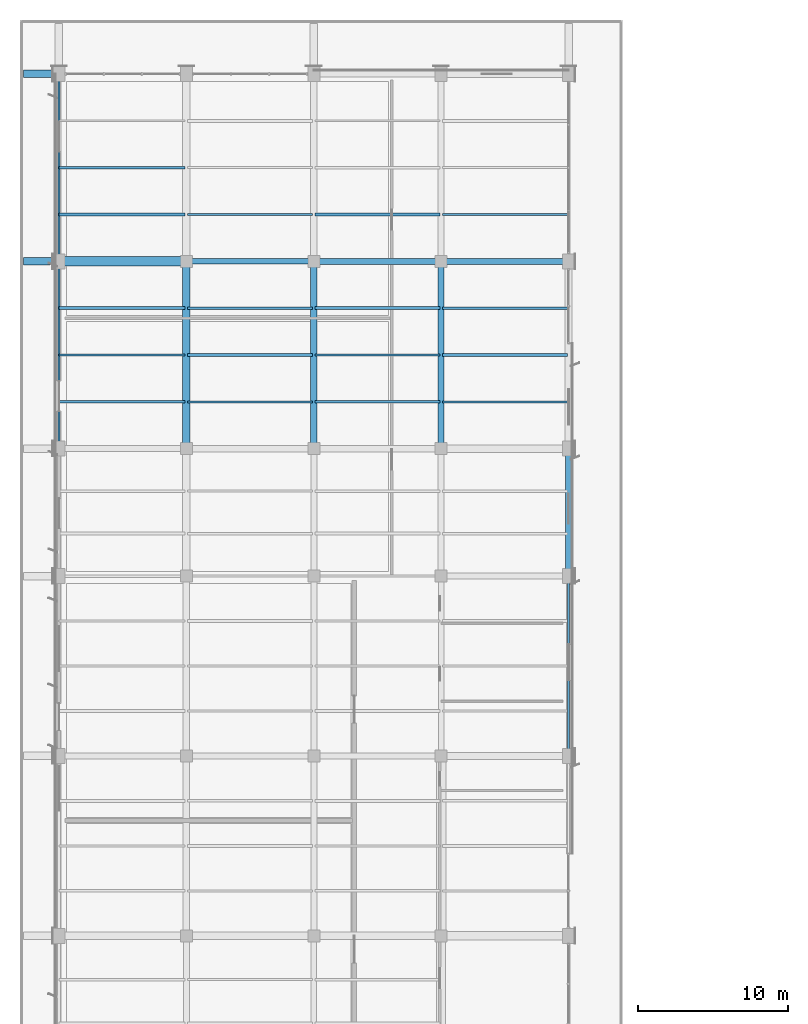
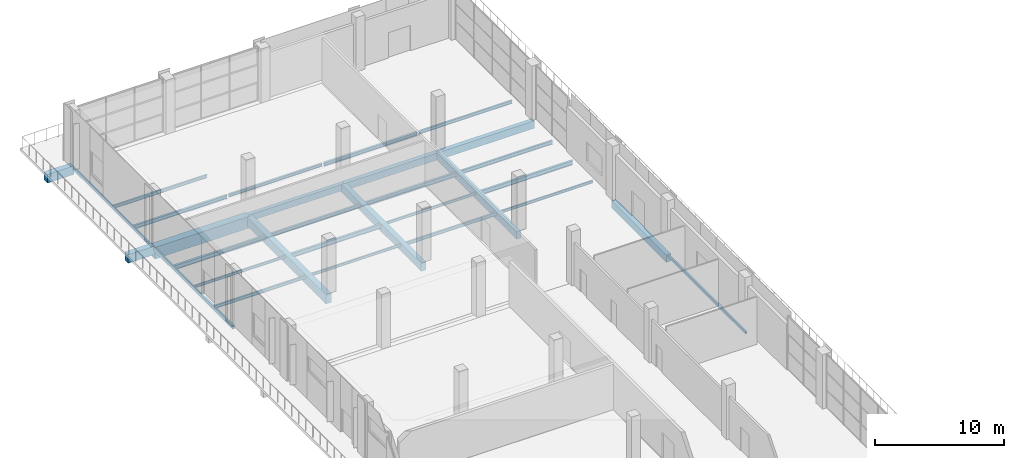
# One storey, part 22 of 90: 30 beams.
"""IFC4 building model written with IfcOpenShell, lengths in metres."""

from ifc_helpers import new_model, si_unit, direction, frame, origin, origin_2d, place, context, subcontext, project, spatial, rectangle, hollow_rectangle, i_section, extrude, material, material_profile, profile_set, type_object, element, save


model = new_model("IFC4")

# Units and contexts
model_context = context("Model", 3, precision=1e-05, world=origin(), true_north=direction((0.0, 1.0)))
body_context = subcontext(model_context, "Body", "Model", "MODEL_VIEW")
ifc_project = project(units=[si_unit("LENGTHUNIT", "METRE"), si_unit("AREAUNIT", "SQUARE_METRE"), si_unit("VOLUMEUNIT", "CUBIC_METRE"), si_unit("PLANEANGLEUNIT", "RADIAN"), si_unit("MASSUNIT", "GRAM", prefix="KILO")], contexts=[model_context])

# Site, building, storey
site_placement = place(None, origin())
site = spatial("IfcSite", under=ifc_project, at=site_placement, CompositionType="ELEMENT")
building_placement = place(site_placement, origin())
building = spatial("IfcBuilding", under=site, at=building_placement, Name="Solvikara Media Centre", CompositionType="ELEMENT")
storey_placement = place(building_placement, origin())
storey = spatial("IfcBuildingStorey", under=building, at=storey_placement, Name="L00", CompositionType="ELEMENT", Elevation=0.0)

# Beams
ifc_material_1 = material(Name="Concrete fc' 35 MPa (C35/45)", Category="concrete")
ifc_material_profile_1 = material_profile(ifc_material_1, rectangle(XDim=0.35009765625, YDim=0.60009765625, at=origin_2d()), Name="RC 350x600")
ifc_profile_set_1 = profile_set([ifc_material_profile_1], Name="Concrete fc' 35 MPa (C35/45)")
beam_type_1 = type_object("IfcBeamType", Name="BM-01", PredefinedType="BEAM", material=ifc_profile_set_1)
beam_1_placement = place(storey_placement, frame((8.5, 101.5, -0.639892578125), z_axis=(1.0, 0.0, 0.0), x_axis=(0.0, 1.0, 0.0)))
element("IfcBeam", 1, at=beam_1_placement, inside=storey, type_object=beam_type_1, Name="B-L00-X0097", PredefinedType="BEAM", context=body_context, shape_type="SweptSolid", body=[
    extrude(rectangle(XDim=0.35009765625, YDim=0.60009765625, at=origin_2d()), origin(), (0.0, 0.0, 1.0), 8.5),
])
ifc_material_profile_2 = material_profile(ifc_material_1, rectangle(XDim=0.39990234375, YDim=0.64990234375, at=origin_2d()), Name="RC 400x650")
ifc_profile_set_2 = profile_set([ifc_material_profile_2], Name="Concrete fc' 35 MPa (C35/45)")
beam_type_2 = type_object("IfcBeamType", Name="BM-02", PredefinedType="BEAM", material=ifc_profile_set_2)
beam_2_placement = place(storey_placement, frame((17.0, 101.5, -0.6650390625), z_axis=(1.0, 0.0, 0.0), x_axis=(0.0, 1.0, 0.0)))
element("IfcBeam", 2, at=beam_2_placement, inside=storey, type_object=beam_type_2, Name="B-L00-X0098", PredefinedType="BEAM", context=body_context, shape_type="SweptSolid", body=[
    extrude(rectangle(XDim=0.39990234375, YDim=0.64990234375, at=origin_2d()), origin(), (0.0, 0.0, 1.0), 8.5),
])
ifc_material_profile_3 = material_profile(ifc_material_1, rectangle(XDim=0.39990234375, YDim=0.699951171875, at=origin_2d()), Name="RC 400x700")
ifc_profile_set_3 = profile_set([ifc_material_profile_3], Name="Concrete fc' 35 MPa (C35/45)")
beam_type_3 = type_object("IfcBeamType", Name="BM-03", PredefinedType="BEAM", material=ifc_profile_set_3)
beam_3_placement = place(storey_placement, frame((25.5, 101.5, -0.68994140625), z_axis=(1.0, 0.0, 0.0), x_axis=(0.0, 1.0, 0.0)))
element("IfcBeam", 3, at=beam_3_placement, inside=storey, type_object=beam_type_3, Name="B-L00-X0099", PredefinedType="BEAM", context=body_context, shape_type="SweptSolid", body=[
    extrude(rectangle(XDim=0.39990234375, YDim=0.699951171875, at=origin_2d()), origin(), (0.0, 0.0, 1.0), 8.5),
])
beam_4_placement = place(storey_placement, frame((25.5, 89.0, -0.68994140625), z_axis=(0.0, 1.0, 0.0), x_axis=(-1.0, 0.0, 0.0)))
element("IfcBeam", 4, at=beam_4_placement, inside=storey, type_object=beam_type_3, Name="B-L00-Y0147", PredefinedType="BEAM", context=body_context, shape_type="SweptSolid", body=[
    extrude(rectangle(XDim=0.39990234375, YDim=0.699951171875, at=origin_2d()), origin(), (0.0, 0.0, 1.0), 12.5),
])
ifc_material_profile_4 = material_profile(ifc_material_1, rectangle(XDim=0.449951171875, YDim=0.75, at=origin_2d()), Name="RC 450x750")
ifc_profile_set_4 = profile_set([ifc_material_profile_4], Name="Concrete fc' 35 MPa (C35/45)")
beam_type_4 = type_object("IfcBeamType", Name="BM-05", PredefinedType="BEAM", material=ifc_profile_set_4)
beam_5_placement = place(storey_placement, frame((17.0, 89.0, -0.715087890625), z_axis=(0.0, 1.0, 0.0), x_axis=(-1.0, 0.0, 0.0)))
element("IfcBeam", 5, at=beam_5_placement, inside=storey, type_object=beam_type_4, Name="B-L00-Y0137", PredefinedType="BEAM", context=body_context, shape_type="SweptSolid", body=[
    extrude(rectangle(XDim=0.449951171875, YDim=0.75, at=origin_2d()), origin(), (0.0, 0.0, 1.0), 12.5),
])
ifc_material_profile_5 = material_profile(ifc_material_1, rectangle(XDim=0.5, YDim=0.800048828125, at=origin_2d()), Name="RC 500x800")
ifc_profile_set_5 = profile_set([ifc_material_profile_5], Name="Concrete fc' 35 MPa (C35/45)")
beam_type_5 = type_object("IfcBeamType", Name="BM-07", PredefinedType="BEAM", material=ifc_profile_set_5)
for number, where, z_axis, x_axis, name in (
    (6, (-2.3798828125, 101.5, -0.64990234375), (1.0, 0.0, 0.0), (0.0, 1.0, 0.0), "B-L00-PRM-010"),
    (7, (-2.3798828125, 114.0, -0.64990234375), (1.0, 0.0, 0.0), (0.0, 1.0, 0.0), "B-L00-PRM-011"),
):
    element("IfcBeam", number, at=place(storey_placement, frame(where, z_axis=z_axis, x_axis=x_axis)), inside=storey, type_object=beam_type_5, Name=name, PredefinedType="BEAM", context=body_context, shape_type="SweptSolid", body=[
        extrude(rectangle(XDim=0.5, YDim=0.800048828125, at=origin_2d()), origin(), (0.0, 0.0, 1.0), 2.3798828125),
    ])
ifc_material_profile_6 = material_profile(ifc_material_1, rectangle(XDim=0.5, YDim=0.85009765625, at=origin_2d()), Name="RC 500x850")
ifc_profile_set_6 = profile_set([ifc_material_profile_6], Name="Concrete fc' 35 MPa (C35/45)")
beam_type_6 = type_object("IfcBeamType", Name="BM-08", PredefinedType="BEAM", material=ifc_profile_set_6)
beam_6_placement = place(storey_placement, frame((8.5, 89.0, -0.764892578125), z_axis=(0.0, 1.0, 0.0), x_axis=(-1.0, 0.0, 0.0)))
element("IfcBeam", 8, at=beam_6_placement, inside=storey, type_object=beam_type_6, Name="B-L00-Y0128", PredefinedType="BEAM", context=body_context, shape_type="SweptSolid", body=[
    extrude(rectangle(XDim=0.5, YDim=0.85009765625, at=origin_2d()), origin(), (0.0, 0.0, 1.0), 12.5),
])
ifc_material_2 = material(Name="Concrete fc' 45 MPa (C45/55)", Category="concrete")
ifc_material_profile_7 = material_profile(ifc_material_2, rectangle(XDim=0.64990234375, YDim=1.10009765625, at=origin_2d()), Name="RC 650x1100")
ifc_profile_set_7 = profile_set([ifc_material_profile_7], Name="Concrete fc' 45 MPa (C45/55)")
beam_type_7 = type_object("IfcBeamType", Name="BM-12", PredefinedType="BEAM", material=ifc_profile_set_7)
beam_7_placement = place(storey_placement, frame((0.0, 101.5, -0.889892578125), z_axis=(1.0, 0.0, 0.0), x_axis=(0.0, 1.0, 0.0)))
element("IfcBeam", 9, at=beam_7_placement, inside=storey, type_object=beam_type_7, Name="B-L00-X0096", PredefinedType="BEAM", context=body_context, shape_type="SweptSolid", body=[
    extrude(rectangle(XDim=0.64990234375, YDim=1.10009765625, at=origin_2d()), origin(), (0.0, 0.0, 1.0), 8.5),
])
ifc_material_profile_8 = material_profile(ifc_material_1, rectangle(XDim=0.39990234375, YDim=0.699951171875, at=origin_2d()), Name="RC 400x700")
ifc_profile_set_8 = profile_set([ifc_material_profile_8], Name="Concrete fc' 35 MPa (C35/45)")
beam_type_8 = type_object("IfcBeamType", Name="BM-13", PredefinedType="SPANDREL", material=ifc_profile_set_8)
beam_8_placement = place(storey_placement, frame((34.0, 80.5, -0.68994140625), z_axis=(0.0, 1.0, 0.0), x_axis=(-1.0, 0.0, 0.0)))
element("IfcBeam", 10, at=beam_8_placement, inside=storey, type_object=beam_type_8, Name="B-L00-Y0157", PredefinedType="SPANDREL", context=body_context, shape_type="SweptSolid", body=[
    extrude(rectangle(XDim=0.39990234375, YDim=0.699951171875, at=origin_2d()), origin(), (0.0, 0.0, 1.0), 8.5),
])
ifc_material_3 = material(Name="Steel S355JR", Category="steel")
ifc_material_profile_9 = material_profile(ifc_material_3, i_section(OverallWidth=0.199951171875, OverallDepth=0.39990234375, WebThickness=0.008056640625, FlangeThickness=0.012939453125, at=origin_2d()), Name="WF 400x200x8x13")
ifc_profile_set_9 = profile_set([ifc_material_profile_9], Name="Steel S355JR")
beam_type_9 = type_object("IfcBeamType", Name="BM-21", PredefinedType="JOIST", material=ifc_profile_set_9)
beam_9_placement = place(storey_placement, frame((0.0, 98.375, -0.5419921875), z_axis=(1.0, 0.0, 0.0), x_axis=(0.0, 1.0, 0.0)))
element("IfcBeam", 11, at=beam_9_placement, inside=storey, type_object=beam_type_9, Name="J-L00-0257", PredefinedType="JOIST", context=body_context, shape_type="SweptSolid", body=[
    extrude(i_section(OverallWidth=0.199951171875, OverallDepth=0.39990234375, WebThickness=0.008056640625, FlangeThickness=0.012939453125, at=origin_2d()), origin(), (0.0, 0.0, 1.0), 8.422119140625),
])
for number, where, z_axis, x_axis, name in (
    (12, (8.577880859375, 95.25, -0.5419921875), (1.0, 0.0, 0.0), (0.0, 1.0, 0.0), "J-L00-0281"),
    (13, (17.077880859375, 98.375, -0.5419921875), (1.0, 0.0, 0.0), (0.0, 1.0, 0.0), "J-L00-0305"),
):
    element("IfcBeam", number, at=place(storey_placement, frame(where, z_axis=z_axis, x_axis=x_axis)), inside=storey, type_object=beam_type_9, Name=name, PredefinedType="JOIST", context=body_context, shape_type="SweptSolid", body=[
        extrude(i_section(OverallWidth=0.199951171875, OverallDepth=0.39990234375, WebThickness=0.008056640625, FlangeThickness=0.012939453125, at=origin_2d()), origin(), (0.0, 0.0, 1.0), 8.34423828125),
    ])
ifc_material_profile_10 = material_profile(ifc_material_3, i_section(OverallWidth=0.175048828125, OverallDepth=0.35009765625, WebThickness=0.007080078125, FlangeThickness=0.010986328125, at=origin_2d()), Name="WF 350x175x7x11")
ifc_profile_set_10 = profile_set([ifc_material_profile_10], Name="Steel S355JR")
beam_type_10 = type_object("IfcBeamType", Name="BM-22", PredefinedType="JOIST", material=ifc_profile_set_10)
beam_10_placement = place(storey_placement, frame((0.0, 104.625, -0.51708984375), z_axis=(1.0, 0.0, 0.0), x_axis=(0.0, 1.0, 0.0)))
element("IfcBeam", 14, at=beam_10_placement, inside=storey, type_object=beam_type_10, Name="J-L00-0258", PredefinedType="JOIST", context=body_context, shape_type="SweptSolid", body=[
    extrude(i_section(OverallWidth=0.175048828125, OverallDepth=0.35009765625, WebThickness=0.007080078125, FlangeThickness=0.010986328125, at=origin_2d()), origin(), (0.0, 0.0, 1.0), 8.422119140625),
])
for number, where, z_axis, x_axis, name in (
    (15, (8.577880859375, 98.375, -0.51708984375), (1.0, 0.0, 0.0), (0.0, 1.0, 0.0), "J-L00-0282"),
    (16, (17.077880859375, 104.625, -0.51708984375), (1.0, 0.0, 0.0), (0.0, 1.0, 0.0), "J-L00-0306"),
):
    element("IfcBeam", number, at=place(storey_placement, frame(where, z_axis=z_axis, x_axis=x_axis)), inside=storey, type_object=beam_type_10, Name=name, PredefinedType="JOIST", context=body_context, shape_type="SweptSolid", body=[
        extrude(i_section(OverallWidth=0.175048828125, OverallDepth=0.35009765625, WebThickness=0.007080078125, FlangeThickness=0.010986328125, at=origin_2d()), origin(), (0.0, 0.0, 1.0), 8.34423828125),
    ])
ifc_material_profile_11 = material_profile(ifc_material_3, i_section(OverallWidth=0.14990234375, OverallDepth=0.300048828125, WebThickness=0.006591796875, FlangeThickness=0.009033203125, at=origin_2d()), Name="WF 300x150x6.5x9")
ifc_profile_set_11 = profile_set([ifc_material_profile_11], Name="Steel S355JR")
beam_type_11 = type_object("IfcBeamType", Name="BM-23", PredefinedType="JOIST", material=ifc_profile_set_11)
beam_11_placement = place(storey_placement, frame((0.0, 107.75, -0.491943359375), z_axis=(1.0, 0.0, 0.0), x_axis=(0.0, 1.0, 0.0)))
element("IfcBeam", 17, at=beam_11_placement, inside=storey, type_object=beam_type_11, Name="J-L00-0259", PredefinedType="JOIST", context=body_context, shape_type="SweptSolid", body=[
    extrude(i_section(OverallWidth=0.14990234375, OverallDepth=0.300048828125, WebThickness=0.006591796875, FlangeThickness=0.009033203125, at=origin_2d()), origin(), (0.0, 0.0, 1.0), 8.422119140625),
])
beam_12_placement = place(storey_placement, frame((8.577880859375, 104.625, -0.491943359375), z_axis=(1.0, 0.0, 0.0), x_axis=(0.0, 1.0, 0.0)))
element("IfcBeam", 18, at=beam_12_placement, inside=storey, type_object=beam_type_11, Name="J-L00-0283", PredefinedType="JOIST", context=body_context, shape_type="SweptSolid", body=[
    extrude(i_section(OverallWidth=0.14990234375, OverallDepth=0.300048828125, WebThickness=0.006591796875, FlangeThickness=0.009033203125, at=origin_2d()), origin(), (0.0, 0.0, 1.0), 8.34423828125),
])
ifc_material_profile_12 = material_profile(ifc_material_3, i_section(OverallWidth=0.125, OverallDepth=0.25, WebThickness=0.006103515625, FlangeThickness=0.009033203125, at=origin_2d()), Name="WF 250x125x6x9")
ifc_profile_set_12 = profile_set([ifc_material_profile_12], Name="Steel S355JR")
beam_type_12 = type_object("IfcBeamType", Name="BM-24", PredefinedType="JOIST", material=ifc_profile_set_12)
beam_13_placement = place(storey_placement, frame((25.577880859375, 92.125, -0.467041015625), z_axis=(1.0, 0.0, 0.0), x_axis=(0.0, 1.0, 0.0)))
element("IfcBeam", 19, at=beam_13_placement, inside=storey, type_object=beam_type_12, Name="J-L00-0324", PredefinedType="JOIST", context=body_context, shape_type="SweptSolid", body=[
    extrude(i_section(OverallWidth=0.125, OverallDepth=0.25, WebThickness=0.006103515625, FlangeThickness=0.009033203125, at=origin_2d()), origin(), (0.0, 0.0, 1.0), 8.34423828125),
])
ifc_material_profile_13 = material_profile(ifc_material_3, hollow_rectangle(XDim=0.14990234375, YDim=0.25, WallThickness=0.008056640625, at=origin_2d()), Name="RHS 250x150x8")
ifc_profile_set_13 = profile_set([ifc_material_profile_13], Name="Steel S355JR")
beam_type_13 = type_object("IfcBeamType", Name="BM-36", PredefinedType="JOIST", material=ifc_profile_set_13)
beam_14_placement = place(storey_placement, frame((34.0, 68.5, -0.467041015625), z_axis=(0.0, 1.0, 0.0), x_axis=(-1.0, 0.0, 0.0)))
element("IfcBeam", 20, at=beam_14_placement, inside=storey, type_object=beam_type_13, Name="B-L00-Y0156", PredefinedType="JOIST", context=body_context, shape_type="SweptSolid", body=[
    extrude(hollow_rectangle(XDim=0.14990234375, YDim=0.25, WallThickness=0.008056640625, at=origin_2d()), origin(), (0.0, 0.0, 1.0), 12.0),
])
ifc_material_profile_14 = material_profile(ifc_material_3, i_section(OverallWidth=0.198974609375, OverallDepth=0.39599609375, WebThickness=0.007080078125, FlangeThickness=0.010986328125, at=origin_2d()), Name="WF 396x199x7x11")
ifc_profile_set_14 = profile_set([ifc_material_profile_14], Name="Steel S355JR")
beam_type_14 = type_object("IfcBeamType", Name="BM-37", PredefinedType="JOIST", material=ifc_profile_set_14)
beam_15_placement = place(storey_placement, frame((25.577880859375, 95.25, -0.5400390625), z_axis=(1.0, 0.0, 0.0), x_axis=(0.0, 1.0, 0.0)))
element("IfcBeam", 21, at=beam_15_placement, inside=storey, type_object=beam_type_14, Name="J-L00-0325", PredefinedType="JOIST", context=body_context, shape_type="SweptSolid", body=[
    extrude(i_section(OverallWidth=0.198974609375, OverallDepth=0.39599609375, WebThickness=0.007080078125, FlangeThickness=0.010986328125, at=origin_2d()), origin(), (0.0, 0.0, 1.0), 8.34423828125),
])
ifc_material_profile_15 = material_profile(ifc_material_3, i_section(OverallWidth=0.174072265625, OverallDepth=0.345947265625, WebThickness=0.006103515625, FlangeThickness=0.009033203125, at=origin_2d()), Name="WF 346x174x6x9")
ifc_profile_set_15 = profile_set([ifc_material_profile_15], Name="Steel S355JR")
beam_type_15 = type_object("IfcBeamType", Name="BM-38", PredefinedType="JOIST", material=ifc_profile_set_15)
beam_16_placement = place(storey_placement, frame((25.577880859375, 98.375, -0.514892578125), z_axis=(1.0, 0.0, 0.0), x_axis=(0.0, 1.0, 0.0)))
element("IfcBeam", 22, at=beam_16_placement, inside=storey, type_object=beam_type_15, Name="J-L00-0326", PredefinedType="JOIST", context=body_context, shape_type="SweptSolid", body=[
    extrude(i_section(OverallWidth=0.174072265625, OverallDepth=0.345947265625, WebThickness=0.006103515625, FlangeThickness=0.009033203125, at=origin_2d()), origin(), (0.0, 0.0, 1.0), 8.34423828125),
])
ifc_material_profile_16 = material_profile(ifc_material_3, i_section(OverallWidth=0.14892578125, OverallDepth=0.298095703125, WebThickness=0.005615234375, FlangeThickness=0.008056640625, at=origin_2d()), Name="WF 298x149x5.5x8")
ifc_profile_set_16 = profile_set([ifc_material_profile_16], Name="Steel S355JR")
beam_type_16 = type_object("IfcBeamType", Name="BM-39", PredefinedType="JOIST", material=ifc_profile_set_16)
beam_17_placement = place(storey_placement, frame((0.0, 92.125, -0.490966796875), z_axis=(1.0, 0.0, 0.0), x_axis=(0.0, 1.0, 0.0)))
element("IfcBeam", 23, at=beam_17_placement, inside=storey, type_object=beam_type_16, Name="J-L00-0255", PredefinedType="JOIST", context=body_context, shape_type="SweptSolid", body=[
    extrude(i_section(OverallWidth=0.14892578125, OverallDepth=0.298095703125, WebThickness=0.005615234375, FlangeThickness=0.008056640625, at=origin_2d()), origin(), (0.0, 0.0, 1.0), 8.422119140625),
])
for number, where, z_axis, x_axis, name in (
    (24, (17.077880859375, 92.125, -0.490966796875), (1.0, 0.0, 0.0), (0.0, 1.0, 0.0), "J-L00-0303"),
    (25, (25.577880859375, 104.625, -0.490966796875), (1.0, 0.0, 0.0), (0.0, 1.0, 0.0), "J-L00-0327"),
):
    element("IfcBeam", number, at=place(storey_placement, frame(where, z_axis=z_axis, x_axis=x_axis)), inside=storey, type_object=beam_type_16, Name=name, PredefinedType="JOIST", context=body_context, shape_type="SweptSolid", body=[
        extrude(i_section(OverallWidth=0.14892578125, OverallDepth=0.298095703125, WebThickness=0.005615234375, FlangeThickness=0.008056640625, at=origin_2d()), origin(), (0.0, 0.0, 1.0), 8.34423828125),
    ])
ifc_material_profile_17 = material_profile(ifc_material_3, i_section(OverallWidth=0.1240234375, OverallDepth=0.248046875, WebThickness=0.0048828125, FlangeThickness=0.008056640625, at=origin_2d()), Name="WF 248x124x5x8")
ifc_profile_set_17 = profile_set([ifc_material_profile_17], Name="Steel S355JR")
beam_type_17 = type_object("IfcBeamType", Name="BM-40", PredefinedType="JOIST", material=ifc_profile_set_17)
beam_18_placement = place(storey_placement, frame((0.0, 95.25, -0.466064453125), z_axis=(1.0, 0.0, 0.0), x_axis=(0.0, 1.0, 0.0)))
element("IfcBeam", 26, at=beam_18_placement, inside=storey, type_object=beam_type_17, Name="J-L00-0256", PredefinedType="JOIST", context=body_context, shape_type="SweptSolid", body=[
    extrude(i_section(OverallWidth=0.1240234375, OverallDepth=0.248046875, WebThickness=0.0048828125, FlangeThickness=0.008056640625, at=origin_2d()), origin(), (0.0, 0.0, 1.0), 8.422119140625),
])
for number, where, z_axis, x_axis, name in (
    (27, (8.577880859375, 92.125, -0.466064453125), (1.0, 0.0, 0.0), (0.0, 1.0, 0.0), "J-L00-0280"),
    (28, (17.077880859375, 95.25, -0.466064453125), (1.0, 0.0, 0.0), (0.0, 1.0, 0.0), "J-L00-0304"),
):
    element("IfcBeam", number, at=place(storey_placement, frame(where, z_axis=z_axis, x_axis=x_axis)), inside=storey, type_object=beam_type_17, Name=name, PredefinedType="JOIST", context=body_context, shape_type="SweptSolid", body=[
        extrude(i_section(OverallWidth=0.1240234375, OverallDepth=0.248046875, WebThickness=0.0048828125, FlangeThickness=0.008056640625, at=origin_2d()), origin(), (0.0, 0.0, 1.0), 8.34423828125),
    ])
ifc_material_profile_18 = material_profile(ifc_material_3, hollow_rectangle(XDim=0.159912109375, YDim=0.320068359375, WallThickness=0.010009765625, at=origin_2d()), Name="RHS 320x160x10")
ifc_profile_set_18 = profile_set([ifc_material_profile_18], Name="Steel S355JR")
beam_type_18 = type_object("IfcBeamType", Name="BM-45", PredefinedType="SPANDREL", material=ifc_profile_set_18)
beam_19_placement = place(storey_placement, frame((0.0, 89.0, -0.501953125), z_axis=(0.0, 1.0, 0.0), x_axis=(-1.0, 0.0, 0.0)))
element("IfcBeam", 29, at=beam_19_placement, inside=storey, type_object=beam_type_18, Name="B-L00-Y0119", PredefinedType="SPANDREL", context=body_context, shape_type="SweptSolid", body=[
    extrude(hollow_rectangle(XDim=0.159912109375, YDim=0.320068359375, WallThickness=0.010009765625, at=origin_2d()), origin(), (0.0, 0.0, 1.0), 12.5),
])
ifc_material_profile_19 = material_profile(ifc_material_3, hollow_rectangle(XDim=0.139892578125, YDim=0.280029296875, WallThickness=0.008056640625, at=origin_2d()), Name="RHS 280x140x8")
ifc_profile_set_19 = profile_set([ifc_material_profile_19], Name="Steel S355JR")
beam_type_19 = type_object("IfcBeamType", Name="BM-46", PredefinedType="SPANDREL", material=ifc_profile_set_19)
beam_20_placement = place(storey_placement, frame((0.0, 101.5, -0.48193359375), z_axis=(0.0, 1.0, 0.0), x_axis=(-1.0, 0.0, 0.0)))
element("IfcBeam", 30, at=beam_20_placement, inside=storey, type_object=beam_type_19, Name="B-L00-Y0120", PredefinedType="SPANDREL", context=body_context, shape_type="SweptSolid", body=[
    extrude(hollow_rectangle(XDim=0.139892578125, YDim=0.280029296875, WallThickness=0.008056640625, at=origin_2d()), origin(), (0.0, 0.0, 1.0), 12.5),
])

save(model, "model.ifc")
